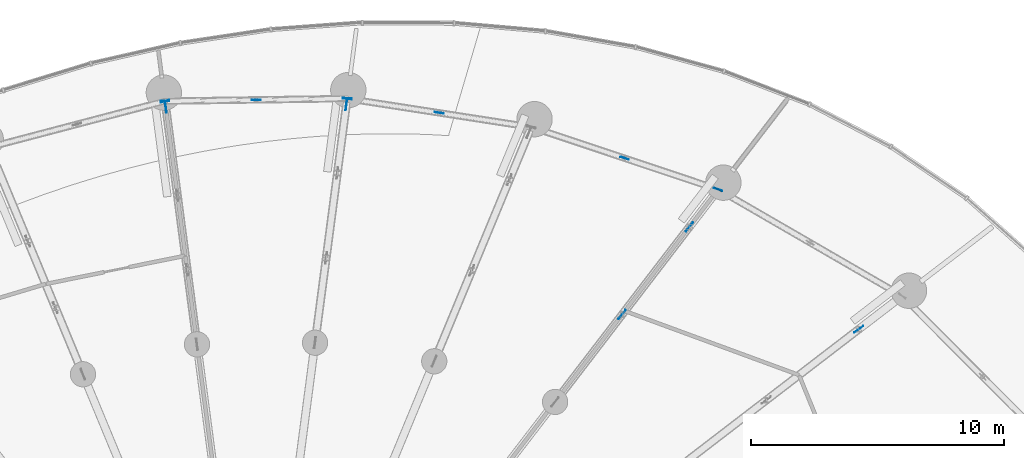
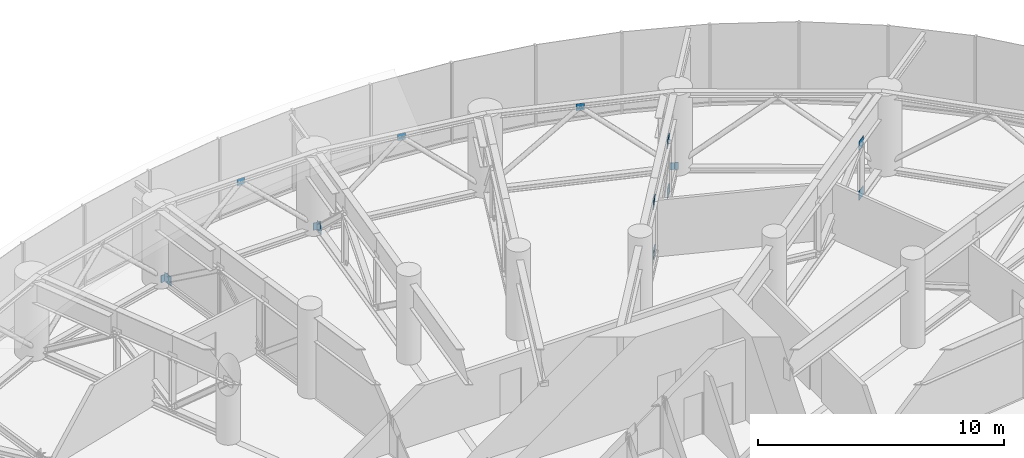
# One storey, part 36 of 42: 17 discrete accessories.
"""IFC4 building model written with IfcOpenShell, lengths in metres."""

from ifc_helpers import new_model, si_unit, direction, frame, origin, origin_2d, place, context, subcontext, project, spatial, rectangle, extrude, source, transform, mapped, material, layer, layer_set, type_object, element, save


model = new_model("IFC4")

# Units and contexts
model_context = context("Model", 3, precision=1e-05, world=origin(), true_north=direction((0.0, 1.0)))
body_context = subcontext(model_context, "Body", "Model", "MODEL_VIEW")
ifc_project = project(units=[si_unit("LENGTHUNIT", "METRE"), si_unit("AREAUNIT", "SQUARE_METRE"), si_unit("VOLUMEUNIT", "CUBIC_METRE"), si_unit("PLANEANGLEUNIT", "RADIAN"), si_unit("MASSUNIT", "GRAM", prefix="KILO")], contexts=[model_context])

# Site, building, storey
site_placement = place(None, origin())
site = spatial("IfcSite", under=ifc_project, at=site_placement, CompositionType="ELEMENT")
building_placement = place(site_placement, origin())
building = spatial("IfcBuilding", under=site, at=building_placement, Name="Spindrift Exchange Tower", CompositionType="ELEMENT")
storey_placement = place(building_placement, frame((0.0, 0.0, 75.39990234375)))
storey = spatial("IfcBuildingStorey", under=building, at=storey_placement, Name="L17", CompositionType="ELEMENT", Elevation=75.39990234375)

# Discrete accessories
ifc_material = material(Name="Steel Grade 350", Category="steel")
ifc_layer_1 = layer(ifc_material, 0.02490234375)
ifc_layer_set_1 = layer_set([ifc_layer_1], Name="Gusset plate 450x450x25 Steel Grade 350")
discrete_accessory_type_1 = type_object("IfcDiscreteAccessoryType", Name="Gusset plate 450x450x25 Steel Grade 350", PredefinedType="USERDEFINED", material=ifc_layer_set_1)
shared_shape_1 = source(origin(), body_context, "Body", "SweptSolid", [
    extrude(rectangle(XDim=0.449951171875, YDim=0.02490234375, at=origin_2d()), origin(), (0.0, 0.0, 1.0), 0.449951171875),
])
for number, where, z_axis, x_axis, name in (
    (1, (75.84814453125, 66.29931640625, 2.5751953125), (0.0, 0.0, 1.0), (0.793351215308, 0.608764198331, 0.0), "L17 gusset plate GP1 03"),
    (2, (75.84814453125, 66.29931640625, 0.10205078125), (0.0, 0.0, 1.0), (0.793353340291, 0.608761429009, 0.0), "L17 gusset plate GP1 03"),
    (3, (66.490478515625, 66.88427734375, 0.10205078125), (0.0, 0.0, 1.0), (0.608755890343, 0.793357590228, 0.0), "L17 gusset plate GP1 04"),
    (4, (69.145751953125, 70.3447265625, 2.5751953125), (0.0, 0.0, 1.0), (0.608771121603, 0.793345902808, 0.0), "L17 gusset plate GP1 04"),
    (5, (66.490478515625, 66.88427734375, 2.5751953125), (0.0, 0.0, 1.0), (0.608761429009, 0.793353340291, 0.0), "L17 gusset plate GP1 04"),
    (6, (69.145751953125, 70.3447265625, 0.10205078125), (0.0, 0.0, 1.0), (0.608761429009, 0.793353340291, 0.0), "L17 gusset plate GP1 04"),
    (7, (55.5791015625, 75.186279296875, 0.10205078125), (0.0, 0.0, 1.0), (0.130552148141, 0.991441443866, 0.0), "L17 gusset plate GP1 06"),
    (8, (48.43408203125, 75.086181640625, 0.10205078125), (0.0, 0.0, 1.0), (-0.130529653015, 0.991444405745, 0.0), "L17 gusset plate GP1 07"),
):
    element("IfcDiscreteAccessory", number, at=place(storey_placement, frame(where, z_axis=z_axis, x_axis=x_axis)), inside=storey, type_object=discrete_accessory_type_1, Name=name, ObjectType="Gusset plate", PredefinedType="USERDEFINED", context=body_context, shape_type="MappedRepresentation", body=[
        mapped(shared_shape_1, transform((0.0, 0.0, 0.0), scale=1.0)),
    ])
ifc_layer_2 = layer(ifc_material, 0.02001953125)
ifc_layer_set_2 = layer_set([ifc_layer_2], Name="Gusset plate 350x350x20 Steel Grade 350")
discrete_accessory_type_2 = type_object("IfcDiscreteAccessoryType", Name="Gusset plate 350x350x20 Steel Grade 350", PredefinedType="USERDEFINED", material=ifc_layer_set_2)
shared_shape_2 = source(origin(), body_context, "Body", "SweptSolid", [
    extrude(rectangle(XDim=0.35009765625, YDim=0.02001953125, at=origin_2d()), origin(), (0.0, 0.0, 1.0), 0.35009765625),
])
for number, where, z_axis, x_axis, name in (
    (9, (70.285400390625, 71.830078125, 0.0849609375), (0.0, 0.0, 1.0), (-0.86554416519, 0.500832604874, 0.0), "L17 gusset plate GP2 03"),
    (10, (70.285400390625, 71.830078125, 0.0849609375), (0.0, 0.0, 1.0), (-0.948567600562, 0.316574647064, 0.0), "L17 gusset plate GP2 04"),
    (11, (66.589111328125, 73.063720703125, 3.56494140625), (0.0, 0.0, 1.0), (-0.948567600562, 0.316574647064, 0.0), "L17 gusset plate GP2 04"),
    (12, (59.251708984375, 74.86083984375, 3.56494140625), (0.0, 0.0, 1.0), (-0.988235322706, 0.152940991745, 0.0), "L17 gusset plate GP2 05"),
    (13, (55.610595703125, 75.42431640625, 0.0849609375), (0.0, 0.0, 1.0), (-0.988235322706, 0.152940991745, 0.0), "L17 gusset plate GP2 05"),
    (14, (55.610595703125, 75.42431640625, 0.0849609375), (0.0, 0.0, 1.0), (-0.999903762847, -0.013873177169, 0.0), "L17 gusset plate GP2 06"),
    (15, (52.006591796875, 75.374267578125, 3.56494140625), (0.0, 0.0, 1.0), (-0.999903762847, -0.013873177169, 0.0), "L17 gusset plate GP2 06"),
    (16, (48.402587890625, 75.32421875, 0.0849609375), (0.0, 0.0, 1.0), (-0.999903375045, -0.013901099744, 0.0), "L17 gusset plate GP2 06"),
    (17, (48.402587890625, 75.32421875, 0.0849609375), (0.0, 0.0, 1.0), (-0.967162261232, -0.254159714448, 0.0), "L17 gusset plate GP2 07"),
):
    element("IfcDiscreteAccessory", number, at=place(storey_placement, frame(where, z_axis=z_axis, x_axis=x_axis)), inside=storey, type_object=discrete_accessory_type_2, Name=name, ObjectType="Gusset plate", PredefinedType="USERDEFINED", context=body_context, shape_type="MappedRepresentation", body=[
        mapped(shared_shape_2, transform((0.0, 0.0, 0.0), scale=1.0)),
    ])

save(model, "model.ifc")
